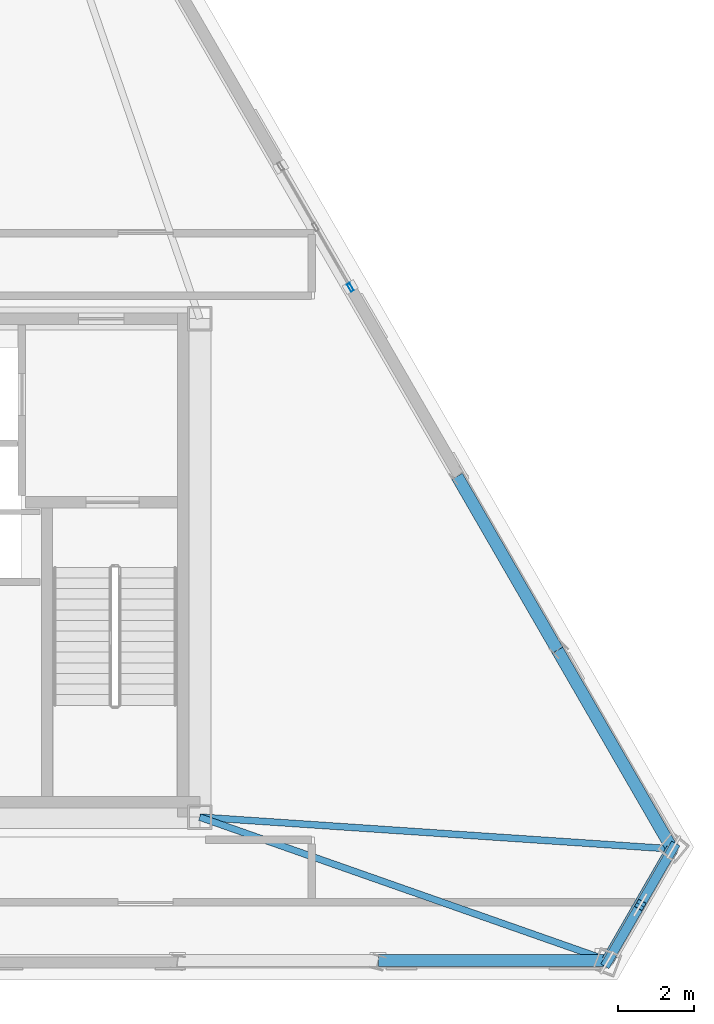
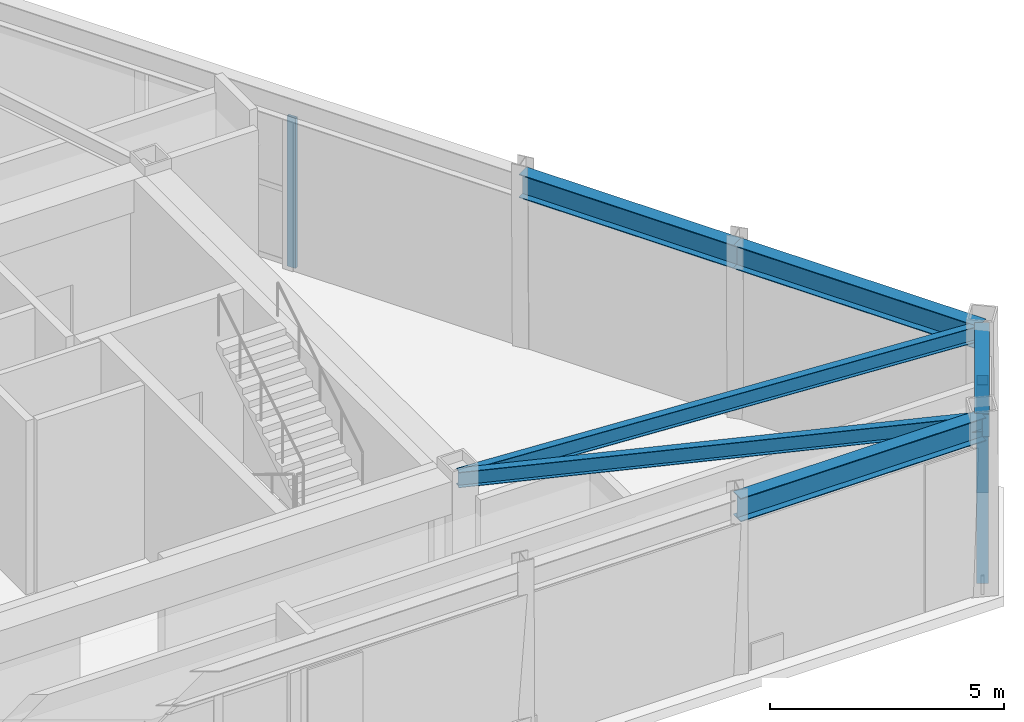
# One storey, part 7 of 12: 6 beams, 3 members, 1 element without a shape of its own.
"""IFC4 building model written with IfcOpenShell, lengths in metres."""

from ifc_helpers import new_model, si_unit, direction, frame, origin, origin_2d, place, context, subcontext, project, spatial, hollow_rectangle, i_section, extrude, material, layer, layer_set, material_profile, profile_set, type_object, element, aggregate, save


model = new_model("IFC4")

# Units and contexts
model_context = context("Model", 3, precision=1e-05, world=origin(), true_north=direction((0.0, 1.0)))
body_context = subcontext(model_context, "Body", "Model", "MODEL_VIEW")
ifc_project = project(units=[si_unit("LENGTHUNIT", "METRE"), si_unit("AREAUNIT", "SQUARE_METRE"), si_unit("VOLUMEUNIT", "CUBIC_METRE"), si_unit("PLANEANGLEUNIT", "RADIAN"), si_unit("MASSUNIT", "GRAM", prefix="KILO")], contexts=[model_context])

# Site, building, storey
site_placement = place(None, origin())
site = spatial("IfcSite", under=ifc_project, at=site_placement, CompositionType="ELEMENT")
building_placement = place(site_placement, origin())
building = spatial("IfcBuilding", under=site, at=building_placement, Name="Oramaril Tower", CompositionType="ELEMENT")
storey_placement = place(building_placement, frame((0.0, 0.0, 314.10009765625)))
storey = spatial("IfcBuildingStorey", under=building, at=storey_placement, Name="L82", CompositionType="ELEMENT", Elevation=314.10009765625)

# Beams
ifc_material_1 = material(Name="Steel ASTM A572 Gr 50", Category="steel")
ifc_material_profile_1 = material_profile(ifc_material_1, i_section(OverallWidth=0.177978515625, OverallDepth=0.404052734375, WebThickness=0.007568359375, FlangeThickness=0.010986328125, at=origin_2d()), Name="W16X36")
ifc_profile_set_1 = profile_set([ifc_material_profile_1], Name="Steel ASTM A572 Gr 50")
beam_type_1 = type_object("IfcBeamType", Name="BT-SB1", PredefinedType="BEAM", material=ifc_profile_set_1)
beam_1_placement = place(storey_placement, frame((45.64990234375, 11.0, 4.337890625), z_axis=(0.943480397326, -0.331428332919, 0.0), x_axis=(0.331428332919, 0.943480397326, 0.0)))
element("IfcBeam", 1, at=beam_1_placement, inside=storey, type_object=beam_type_1, Name="L82 Radial Primary Beam RB-03", PredefinedType="BEAM", context=body_context, shape_type="SweptSolid", body=[
    extrude(i_section(OverallWidth=0.177978515625, OverallDepth=0.404052734375, WebThickness=0.007568359375, FlangeThickness=0.010986328125, at=origin_2d()), origin(), (0.0, 0.0, 1.0), 11.408203125),
])
beam_2_placement = place(storey_placement, frame((45.64990234375, 11.0, 4.337890625), z_axis=(0.997740741367, -0.067181939661, 0.0), x_axis=(0.067181939661, 0.997740741367, 0.0)))
element("IfcBeam", 2, at=beam_2_placement, inside=storey, type_object=beam_type_1, Name="L82 Radial Primary Beam RB-04", PredefinedType="BEAM", context=body_context, shape_type="SweptSolid", body=[
    extrude(i_section(OverallWidth=0.177978515625, OverallDepth=0.404052734375, WebThickness=0.007568359375, FlangeThickness=0.010986328125, at=origin_2d()), origin(), (0.0, 0.0, 1.0), 12.490234375),
])
ifc_material_2 = material(Name="Steel ASTM A572 Gr 50", Category="steel")
ifc_material_profile_2 = material_profile(ifc_material_2, i_section(OverallWidth=0.324951171875, OverallDepth=0.612060546875, WebThickness=0.0126953125, FlangeThickness=0.01904296875, at=origin_2d()), Name="W24X104")
ifc_profile_set_2 = profile_set([ifc_material_profile_2], Name="Steel ASTM A572 Gr 50")
beam_type_2 = type_object("IfcBeamType", Name="BT-SP5", PredefinedType="SPANDREL", material=ifc_profile_set_2)
beam_3_placement = place(storey_placement, frame((50.361083984375, 7.218994140625, 4.23388671875), z_axis=(1.0, 0.0, 0.0), x_axis=(0.0, 1.0, 0.0)))
element("IfcBeam", 3, at=beam_3_placement, inside=storey, type_object=beam_type_2, Name="L82 Perimeter Spandrel 06", PredefinedType="SPANDREL", context=body_context, shape_type="SweptSolid", body=[
    extrude(i_section(OverallWidth=0.324951171875, OverallDepth=0.612060546875, WebThickness=0.0126953125, FlangeThickness=0.01904296875, at=origin_2d()), origin(), (0.0, 0.0, 1.0), 6.05224609375),
])
beam_4_placement = place(storey_placement, frame((56.413330078125, 7.218994140625, 4.23388671875), z_axis=(0.499996186757, 0.86602760535, 0.0), x_axis=(-0.86602760535, 0.499996186757, 0.0)))
element("IfcBeam", 4, at=beam_4_placement, inside=storey, type_object=beam_type_2, Name="L82 Perimeter Spandrel 07", PredefinedType="SPANDREL", context=body_context, shape_type="SweptSolid", body=[
    extrude(i_section(OverallWidth=0.324951171875, OverallDepth=0.612060546875, WebThickness=0.0126953125, FlangeThickness=0.01904296875, at=origin_2d()), origin(), (0.0, 0.0, 1.0), 3.39697265625),
])
beam_5_placement = place(storey_placement, frame((58.11181640625, 10.160888671875, 4.23388671875), z_axis=(-0.499995978368, 0.866027725662, 0.0), x_axis=(-0.866027725662, -0.499995978368, 0.0)))
element("IfcBeam", 5, at=beam_5_placement, inside=storey, type_object=beam_type_2, Name="L82 Perimeter Spandrel 08", PredefinedType="SPANDREL", context=body_context, shape_type="SweptSolid", body=[
    extrude(i_section(OverallWidth=0.324951171875, OverallDepth=0.612060546875, WebThickness=0.0126953125, FlangeThickness=0.01904296875, at=origin_2d()), origin(), (0.0, 0.0, 1.0), 6.05224609375),
])
beam_6_placement = place(storey_placement, frame((55.085693359375, 15.40234375, 4.23388671875), z_axis=(-0.499961891874, 0.866047404403, 0.0), x_axis=(-0.866047404403, -0.499961891874, 0.0)))
element("IfcBeam", 6, at=beam_6_placement, inside=storey, type_object=beam_type_2, Name="L82 Perimeter Spandrel 09", PredefinedType="SPANDREL", context=body_context, shape_type="SweptSolid", body=[
    extrude(i_section(OverallWidth=0.324951171875, OverallDepth=0.612060546875, WebThickness=0.0126953125, FlangeThickness=0.01904296875, at=origin_2d()), origin(), (0.0, 0.0, 1.0), 5.2958984375),
])

# Curtain wall, member
ifc_material_3 = material(Name="Anodised Aluminium 6063-T6", Category="aluminium")
ifc_layer = layer(ifc_material_3, 0.219970703125)
ifc_layer_set = layer_set([ifc_layer], Name="CWT-SYS6")
curtain_wall_type = type_object("IfcCurtainWallType", Name="CWT-SYS6", PredefinedType="NOTDEFINED", material=ifc_layer_set)
curtain_wall_placement = place(storey_placement, origin())
curtain_wall = element("IfcCurtainWall", 7, at=curtain_wall_placement, inside=storey, type_object=curtain_wall_type, Name="L82 Unitised Curtain Wall CW-6", PredefinedType="NOTDEFINED")
ifc_material_4 = material(Name="Anodised Aluminium 6063-T6", Category="aluminium")
ifc_material_profile_3 = material_profile(ifc_material_4, hollow_rectangle(XDim=0.080078125, YDim=0.219970703125, WallThickness=0.00390625, at=origin_2d()), Name="CWM220X80")
ifc_profile_set_3 = profile_set([ifc_material_profile_3], Name="Anodised Aluminium 6063-T6")
member_type_1 = type_object("IfcMemberType", Name="MT-CWM1", PredefinedType="MULLION", material=ifc_profile_set_3)
member_placement = place(storey_placement, frame((49.62255859375, 24.974365234375, 0.0), z_axis=(0.0, 0.0, 1.0), x_axis=(-0.866025463091, -0.499999897278, 0.0)))
member = element("IfcMember", 8, at=member_placement, type_object=member_type_1, Name="CW-6 mullion 1", PredefinedType="MULLION", context=body_context, shape_type="SweptSolid", body=[
    extrude(hollow_rectangle(XDim=0.080078125, YDim=0.219970703125, WallThickness=0.00390625, at=origin_2d()), origin(), (0.0, 0.0, 1.0), 3.91796875),
])
aggregate(curtain_wall, [member])

# Members
ifc_material_5 = material(Name="Steel ASTM A572 Gr 50", Category="steel")
ifc_material_profile_4 = material_profile(ifc_material_5, hollow_rectangle(XDim=0.25, YDim=0.25, WallThickness=0.011962890625, at=origin_2d()), Name="HSS250X250X12")
ifc_profile_set_4 = profile_set([ifc_material_profile_4], Name="Steel ASTM A572 Gr 50")
member_type_2 = type_object("IfcMemberType", Name="MT-KB3", PredefinedType="BRACE", material=ifc_profile_set_4)
for number, where, z_axis, x_axis, name in (
    (9, (56.392578125, 7.164306640625, 0.179931640625), (0.198769531804, 0.344268608046, 0.91758912305), (-0.866018913615, 0.500011241135, 0.0), "L82 Perimeter Chevron Brace KB-2A"),
    (10, (58.14892578125, 10.206298828125, 0.179931640625), (-0.198769531804, -0.344268608046, 0.91758912305), (0.866018913615, -0.500011241135, 0.0), "L82 Perimeter Chevron Brace KB-2B"),
):
    element("IfcMember", number, at=place(storey_placement, frame(where, z_axis=z_axis, x_axis=x_axis)), inside=storey, type_object=member_type_2, Name=name, PredefinedType="BRACE", context=body_context, shape_type="SweptSolid", body=[
        extrude(hollow_rectangle(XDim=0.25, YDim=0.25, WallThickness=0.011962890625, at=origin_2d()), origin(), (0.0, 0.0, 1.0), 4.41796875),
    ])

save(model, "model.ifc")
